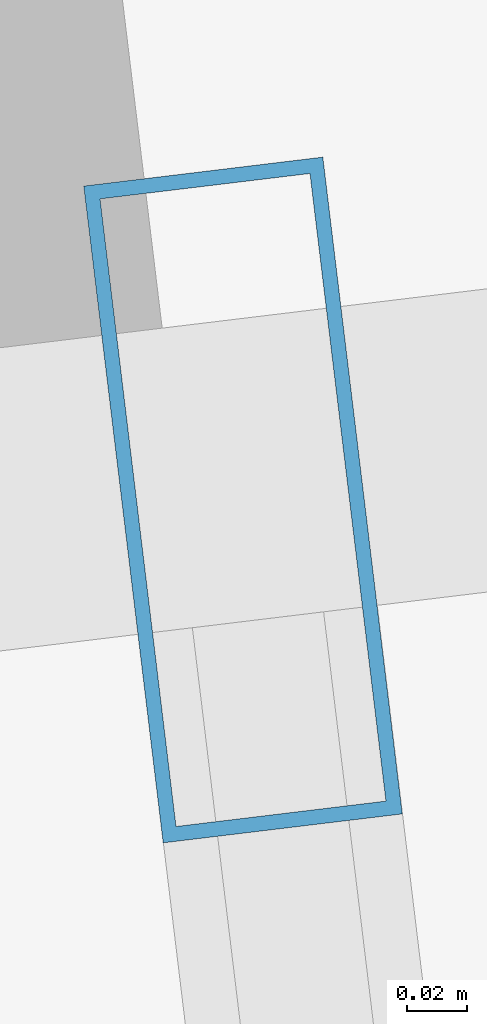
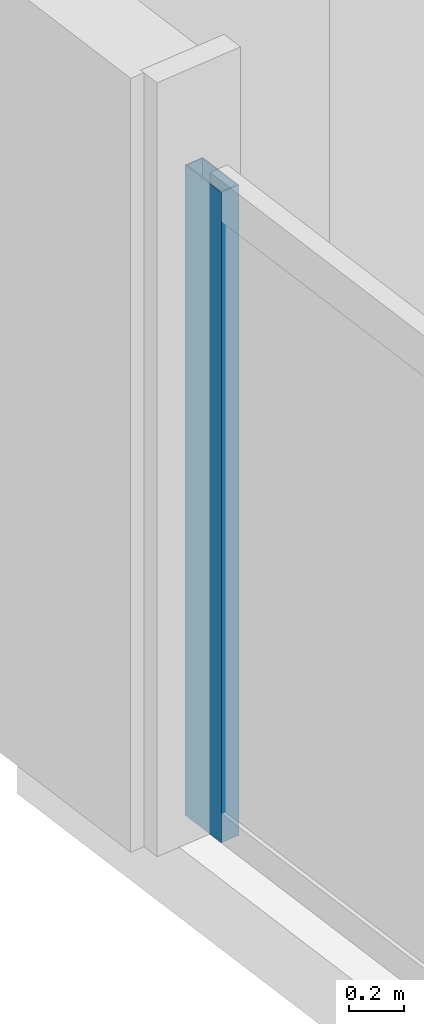
# One storey, part 16 of 33: 1 member, 1 element without a shape of its own.
"""IFC4 building model written with IfcOpenShell, lengths in metres."""

from ifc_helpers import new_model, si_unit, direction, frame, origin, origin_2d, place, context, subcontext, project, spatial, hollow_rectangle, extrude, material, material_profile, profile_set, type_object, element, aggregate, save


model = new_model("IFC4")

# Units and contexts
model_context = context("Model", 3, precision=1e-05, world=origin(), true_north=direction((0.0, 1.0)))
body_context = subcontext(model_context, "Body", "Model", "MODEL_VIEW")
ifc_project = project(units=[si_unit("LENGTHUNIT", "METRE"), si_unit("AREAUNIT", "SQUARE_METRE"), si_unit("VOLUMEUNIT", "CUBIC_METRE"), si_unit("PLANEANGLEUNIT", "RADIAN"), si_unit("MASSUNIT", "GRAM", prefix="KILO")], contexts=[model_context])

# Site, building, storey
site_placement = place(None, origin())
site = spatial("IfcSite", under=ifc_project, at=site_placement, CompositionType="ELEMENT")
building_placement = place(site_placement, origin())
building = spatial("IfcBuilding", under=site, at=building_placement, Name="Haldenkirk Collegiate Tower", CompositionType="ELEMENT")
storey_placement = place(building_placement, frame((0.0, 0.0, 51.449951171875)))
storey = spatial("IfcBuildingStorey", under=building, at=storey_placement, Name="L11", CompositionType="ELEMENT", Elevation=51.449951171875)

# Curtain wall, member
ifc_material = material(Name="Anodised architectural bronze aluminium", Category="aluminium")
curtain_wall_type = type_object("IfcCurtainWallType", Name="CW-SYS1-CONVEX-LOW", PredefinedType="USERDEFINED", material=ifc_material)
curtain_wall_placement = place(storey_placement, origin())
curtain_wall = element("IfcCurtainWall", 1, at=curtain_wall_placement, inside=storey, type_object=curtain_wall_type, Name="L11 Lower tower convex bronze-framed unitised curtain wall", ObjectType="UNITISED CURTAIN WALL", PredefinedType="USERDEFINED")
ifc_material_profile = material_profile(ifc_material, hollow_rectangle(XDim=0.080078125, YDim=0.219970703125, WallThickness=0.0048828125, at=origin_2d()), Name="CW-MUL-1A")
ifc_profile_set = profile_set([ifc_material_profile], Name="Anodised architectural bronze aluminium")
member_type = type_object("IfcMemberType", Name="CW-MUL-1A", PredefinedType="MULLION", material=ifc_profile_set)
member_placement = place(storey_placement, frame((6.8681640625, 43.48681640625, 0.0), z_axis=(0.0, 0.0, 1.0), x_axis=(-0.992757257091, -0.120137539898, 0.0)))
member = element("IfcMember", 2, at=member_placement, type_object=member_type, Name="CW-1A mullion 5", PredefinedType="MULLION", context=body_context, shape_type="SweptSolid", body=[
    extrude(hollow_rectangle(XDim=0.080078125, YDim=0.219970703125, WallThickness=0.0048828125, at=origin_2d()), origin(), (0.0, 0.0, 1.0), 2.89111328125),
])
aggregate(curtain_wall, [member])

save(model, "model.ifc")
